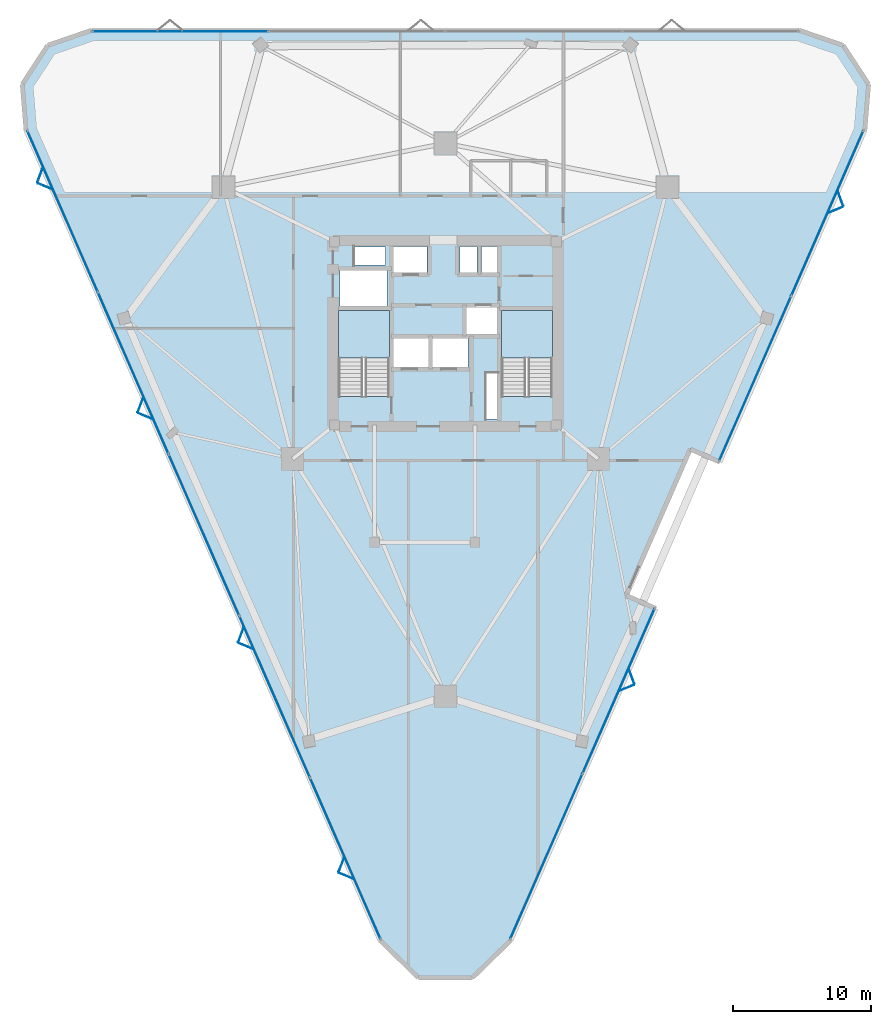
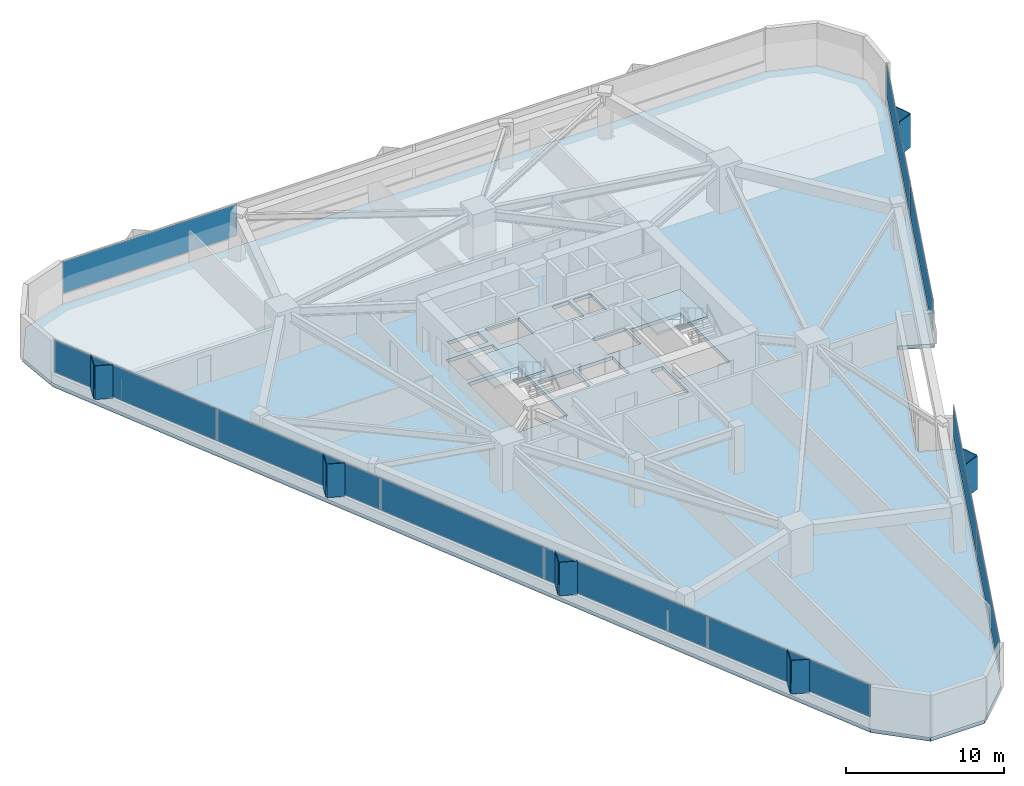
# One storey, part 9 of 15: 22 plates, 3 slabs, 6 elements without a shape of their own.
"""IFC4 building model written with IfcOpenShell, lengths in metres."""

from ifc_helpers import new_model, si_unit, direction, frame, origin, origin_2d, place, context, subcontext, project, spatial, polyline, rectangle, outline, extrude, material, layer, layer_set, type_object, element, aggregate, save


model = new_model("IFC4")

# Units and contexts
model_context = context("Model", 3, precision=1e-05, world=origin(), true_north=direction((0.0, 1.0)))
body_context = subcontext(model_context, "Body", "Model", "MODEL_VIEW")
ifc_project = project(units=[si_unit("LENGTHUNIT", "METRE"), si_unit("AREAUNIT", "SQUARE_METRE"), si_unit("VOLUMEUNIT", "CUBIC_METRE"), si_unit("PLANEANGLEUNIT", "RADIAN"), si_unit("MASSUNIT", "GRAM", prefix="KILO")], contexts=[model_context])

# Site, building, storey
site_placement = place(None, origin())
site = spatial("IfcSite", under=ifc_project, at=site_placement, CompositionType="ELEMENT")
building_placement = place(site_placement, origin())
building = spatial("IfcBuilding", under=site, at=building_placement, Name="Talyreon Biosciences Tower", CompositionType="ELEMENT")
storey_placement = place(building_placement, frame((0.0, 0.0, 100.550048828125)))
storey = spatial("IfcBuildingStorey", under=building, at=storey_placement, Name="L26", CompositionType="ELEMENT", Elevation=100.550048828125)

# Curtain wall, plate
ifc_material_1 = material(Name="Thermally broken aluminium and low-E glazing", Category="aluminium")
ifc_layer_1 = layer(ifc_material_1, 0.205078125)
ifc_layer_set_1 = layer_set([ifc_layer_1], Name="Thermally broken aluminium and low-E glazing")
curtain_wall_type = type_object("IfcCurtainWallType", Name="CurtainWall_SkyGardenLoggia", PredefinedType="NOTDEFINED", material=ifc_layer_set_1)
curtain_wall_1_placement = place(storey_placement, origin())
curtain_wall_1 = element("IfcCurtainWall", 1, at=curtain_wall_1_placement, inside=storey, type_object=curtain_wall_type, Name="L26 Unitised Curtain Wall FCW-L26-03", PredefinedType="NOTDEFINED")
ifc_material_2 = material(Name="Acoustic laminated low-E insulated glazing", Category="glass")
ifc_layer_2 = layer(ifc_material_2, 0.0380859375)
ifc_layer_set_2 = layer_set([ifc_layer_2], Name="Acoustic laminated low-E insulated glazing")
plate_type_1 = type_object("IfcPlateType", Name="CWGlazingPanel_38", PredefinedType="CURTAIN_PANEL", material=ifc_layer_set_2)
plate_1_placement = place(storey_placement, frame((46.7783203125, 89.906494140625, 0.875), z_axis=(0.0, 0.0, 1.0), x_axis=(1.0, 0.0, 0.0)))
plate_1 = element("IfcPlate", 2, at=plate_1_placement, type_object=plate_type_1, Name="CW7 panel 1.1", PredefinedType="CURTAIN_PANEL", context=body_context, shape_type="SweptSolid", body=[
    extrude(rectangle(XDim=12.71435546875, YDim=0.0380859375, at=origin_2d()), origin(), (0.0, 0.0, 1.0), 2.43505859375),
])
aggregate(curtain_wall_1, [plate_1])

# Curtain wall, plates
curtain_wall_2_placement = place(storey_placement, origin())
curtain_wall_2 = element("IfcCurtainWall", 3, at=curtain_wall_2_placement, inside=storey, type_object=curtain_wall_type, Name="L26 Unitised Curtain Wall FCW-L26-07", PredefinedType="NOTDEFINED")
plate_2_placement = place(storey_placement, frame((93.7119140625, 76.708984375, 0.875), z_axis=(0.0, 0.0, 1.0), x_axis=(-0.40038510043, -0.916346971051, 0.0)))
plate_2 = element("IfcPlate", 4, at=plate_2_placement, type_object=plate_type_1, Name="CW7 panel 1.1", PredefinedType="CURTAIN_PANEL", context=body_context, shape_type="SweptSolid", body=[
    extrude(rectangle(XDim=13.005615234375, YDim=0.0380859375, at=origin_2d()), origin(), (0.0, 0.0, 1.0), 2.43505859375),
])
plate_3_placement = place(storey_placement, frame((88.474609375, 64.72265625, 0.875), z_axis=(0.0, 0.0, 1.0), x_axis=(-0.40038510043, -0.916346971051, 0.0)))
plate_3 = element("IfcPlate", 5, at=plate_3_placement, type_object=plate_type_1, Name="CW7 panel 2.1", PredefinedType="CURTAIN_PANEL", context=body_context, shape_type="SweptSolid", body=[
    extrude(rectangle(XDim=13.005615234375, YDim=0.0380859375, at=origin_2d()), origin(), (0.0, 0.0, 1.0), 2.43505859375),
])
aggregate(curtain_wall_2, [plate_2, plate_3])

curtain_wall_3_placement = place(storey_placement, origin())
curtain_wall_3 = element("IfcCurtainWall", 6, at=curtain_wall_3_placement, inside=storey, type_object=curtain_wall_type, Name="L26 Unitised Curtain Wall FCW-L26-11", PredefinedType="NOTDEFINED")
plate_4_placement = place(storey_placement, frame((78.562744140625, 42.037841796875, 0.875), z_axis=(0.0, 0.0, 1.0), x_axis=(-0.400388300937, -0.916345572627, 0.0)))
plate_4 = element("IfcPlate", 7, at=plate_4_placement, type_object=plate_type_1, Name="CW7 panel 1.1", PredefinedType="CURTAIN_PANEL", context=body_context, shape_type="SweptSolid", body=[
    extrude(rectangle(XDim=13.005615234375, YDim=0.0380859375, at=origin_2d()), origin(), (0.0, 0.0, 1.0), 2.43505859375),
])
plate_5_placement = place(storey_placement, frame((73.325439453125, 30.051513671875, 0.875), z_axis=(0.0, 0.0, 1.0), x_axis=(-0.400388300937, -0.916345572627, 0.0)))
plate_5 = element("IfcPlate", 8, at=plate_5_placement, type_object=plate_type_1, Name="CW7 panel 2.1", PredefinedType="CURTAIN_PANEL", context=body_context, shape_type="SweptSolid", body=[
    extrude(rectangle(XDim=13.005615234375, YDim=0.0380859375, at=origin_2d()), origin(), (0.0, 0.0, 1.0), 2.43505859375),
])
aggregate(curtain_wall_3, [plate_4, plate_5])

curtain_wall_4_placement = place(storey_placement, origin())
curtain_wall_4 = element("IfcCurtainWall", 9, at=curtain_wall_4_placement, inside=storey, type_object=curtain_wall_type, Name="L26 Unitised Curtain Wall FCW-L26-15", PredefinedType="NOTDEFINED")
plate_6_placement = place(storey_placement, frame((58.7353515625, 29.912353515625, 0.875), z_axis=(0.0, 0.0, 1.0), x_axis=(-0.400386983653, 0.9163461482, 0.0)))
plate_6 = element("IfcPlate", 10, at=plate_6_placement, type_object=plate_type_1, Name="CW7 panel 1.1", PredefinedType="CURTAIN_PANEL", context=body_context, shape_type="SweptSolid", body=[
    extrude(rectangle(XDim=12.701904296875, YDim=0.0380859375, at=origin_2d()), origin(), (0.0, 0.0, 1.0), 2.43505859375),
])
plate_7_placement = place(storey_placement, frame((53.612060546875, 41.6376953125, 0.875), z_axis=(0.0, 0.0, 1.0), x_axis=(-0.400386983653, 0.9163461482, 0.0)))
plate_7 = element("IfcPlate", 11, at=plate_7_placement, type_object=plate_type_1, Name="CW7 panel 2.1", PredefinedType="CURTAIN_PANEL", context=body_context, shape_type="SweptSolid", body=[
    extrude(rectangle(XDim=12.739501953125, YDim=0.0380859375, at=origin_2d()), origin(), (0.0, 0.0, 1.0), 2.43505859375),
])
plate_8_placement = place(storey_placement, frame((48.4814453125, 53.38037109375, 0.875), z_axis=(0.0, 0.0, 1.0), x_axis=(-0.400386983653, 0.9163461482, 0.0)))
plate_8 = element("IfcPlate", 12, at=plate_8_placement, type_object=plate_type_1, Name="CW7 panel 3.1", PredefinedType="CURTAIN_PANEL", context=body_context, shape_type="SweptSolid", body=[
    extrude(rectangle(XDim=12.739501953125, YDim=0.0380859375, at=origin_2d()), origin(), (0.0, 0.0, 1.0), 2.43505859375),
])
plate_9_placement = place(storey_placement, frame((43.3505859375, 65.122802734375, 0.875), z_axis=(0.0, 0.0, 1.0), x_axis=(-0.400386983653, 0.9163461482, 0.0)))
plate_9 = element("IfcPlate", 13, at=plate_9_placement, type_object=plate_type_1, Name="CW7 panel 4.1", PredefinedType="CURTAIN_PANEL", context=body_context, shape_type="SweptSolid", body=[
    extrude(rectangle(XDim=12.739501953125, YDim=0.0380859375, at=origin_2d()), origin(), (0.0, 0.0, 1.0), 2.43505859375),
])
plate_10_placement = place(storey_placement, frame((38.227294921875, 76.84814453125, 0.875), z_axis=(0.0, 0.0, 1.0), x_axis=(-0.400386983653, 0.9163461482, 0.0)))
plate_10 = element("IfcPlate", 14, at=plate_10_placement, type_object=plate_type_1, Name="CW7 panel 5.1", PredefinedType="CURTAIN_PANEL", context=body_context, shape_type="SweptSolid", body=[
    extrude(rectangle(XDim=12.701904296875, YDim=0.0380859375, at=origin_2d()), origin(), (0.0, 0.0, 1.0), 2.43505859375),
])
aggregate(curtain_wall_4, [plate_6, plate_7, plate_8, plate_9, plate_10])

# Plates
ifc_material_3 = material(Name="Ivory GFRC sunshade panel", Category="concrete")
ifc_layer_3 = layer(ifc_material_3, 0.044921875)
ifc_layer_set_3 = layer_set([ifc_layer_3], Name="Ivory GFRC sunshade panel")
plate_type_2 = type_object("IfcPlateType", Name="FoldedVSunshade_SunFace_SUNSHADE", PredefinedType="USERDEFINED", material=ifc_layer_set_3)
for number, where, z_axis, x_axis, name in (
    (15, (94.65869140625, 77.777099609375, 0.7900390625), (0.0, 0.0, 1.0), (0.348539329796, -0.937294156381, 0.0), "L26 Folded V-Sunshade Panel 07.01L"),
    (16, (94.29833984375, 76.952392578125, 0.7900390625), (0.0, 0.0, 1.0), (-0.924559334915, -0.381038103373, 0.0), "L26 Folded V-Sunshade Panel 07.01R"),
    (17, (79.509521484375, 43.10595703125, 0.7900390625), (0.0, 0.0, 1.0), (0.348539329796, -0.937294156381, 0.0), "L26 Folded V-Sunshade Panel 11.01L"),
    (18, (79.149169921875, 42.28125, 0.7900390625), (0.0, 0.0, 1.0), (-0.924559334915, -0.381038103373, 0.0), "L26 Folded V-Sunshade Panel 11.01R"),
    (19, (58.815185546875, 28.631103515625, 0.7900390625), (0.0, 0.0, 1.0), (-0.924559334915, 0.381038103373, 0.0), "L26 Folded V-Sunshade Panel 15.01L"),
    (20, (58.45458984375, 29.455810546875, 0.7900390625), (0.0, 0.0, 1.0), (0.348539329796, 0.937294156381, 0.0), "L26 Folded V-Sunshade Panel 15.01R"),
    (21, (51.528076171875, 45.30859375, 0.7900390625), (0.0, 0.0, 1.0), (-0.924559334915, 0.381038103373, 0.0), "L26 Folded V-Sunshade Panel 15.02L"),
    (22, (51.167724609375, 46.13330078125, 0.7900390625), (0.0, 0.0, 1.0), (0.348539329796, 0.937294156381, 0.0), "L26 Folded V-Sunshade Panel 15.02R"),
    (23, (44.240966796875, 61.986083984375, 0.7900390625), (0.0, 0.0, 1.0), (-0.924559334915, 0.381038103373, 0.0), "L26 Folded V-Sunshade Panel 15.03L"),
    (24, (43.880615234375, 62.810791015625, 0.7900390625), (0.0, 0.0, 1.0), (0.348539329796, 0.937294156381, 0.0), "L26 Folded V-Sunshade Panel 15.03R"),
    (25, (36.9541015625, 78.663818359375, 0.7900390625), (0.0, 0.0, 1.0), (-0.924559334915, 0.381038103373, 0.0), "L26 Folded V-Sunshade Panel 15.04L"),
    (26, (36.593505859375, 79.48828125, 0.7900390625), (0.0, 0.0, 1.0), (0.348539329796, 0.937294156381, 0.0), "L26 Folded V-Sunshade Panel 15.04R"),
):
    element("IfcPlate", number, at=place(storey_placement, frame(where, z_axis=z_axis, x_axis=x_axis)), inside=storey, type_object=plate_type_2, Name=name, ObjectType="SUNSHADE", PredefinedType="USERDEFINED", context=body_context, shape_type="SweptSolid", body=[
        extrude(rectangle(XDim=1.14990234375, YDim=0.044921875, at=origin_2d()), origin(), (0.0, 0.0, 1.0), 2.5849609375),
    ])

# Stair, slab
ifc_material_4 = material(Name="Concrete C40/50", Category="concrete")
stair_type = type_object("IfcStairType", Name="DoglegEscapeStair_3650", PredefinedType="HALF_TURN_STAIR", material=ifc_material_4)
stair_1_placement = place(storey_placement, origin())
stair_1 = element("IfcStair", 27, at=stair_1_placement, inside=storey, type_object=stair_type, Name="L26 Core Escape Stair 1", PredefinedType="HALF_TURN_STAIR")
ifc_layer_4 = layer(ifc_material_4, 0.199951171875)
ifc_layer_set_4 = layer_set([ifc_layer_4], Name="Concrete C40/50")
slab_type_1 = type_object("IfcSlabType", Name="StairLandingSlab_200", PredefinedType="LANDING", material=ifc_layer_set_4)
slab_1_placement = place(storey_placement, frame((0.0, 0.0, 1.625)))
slab_1 = element("IfcSlab", 28, at=slab_1_placement, type_object=slab_type_1, Name="ST-1 landing 1", PredefinedType="LANDING", context=body_context, shape_type="SweptSolid", body=[
    extrude(outline(polyline([(61.929931640625, 66.199951171875), (61.929931640625, 69.64990234375), (58.25, 69.64990234375), (58.25, 66.199951171875), (61.929931640625, 66.199951171875)])), origin(), (0.0, 0.0, 1.0), 0.199951171875),
])
aggregate(stair_1, [slab_1])

stair_2_placement = place(storey_placement, origin())
stair_2 = element("IfcStair", 29, at=stair_2_placement, inside=storey, type_object=stair_type, Name="L26 Core Escape Stair 2", PredefinedType="HALF_TURN_STAIR")
slab_2_placement = place(storey_placement, frame((0.0, 0.0, 1.625)))
slab_2 = element("IfcSlab", 30, at=slab_2_placement, type_object=slab_type_1, Name="ST-2 landing 1", PredefinedType="LANDING", context=body_context, shape_type="SweptSolid", body=[
    extrude(outline(polyline([(73.75, 66.199951171875), (73.75, 69.64990234375), (70.070068359375, 69.64990234375), (70.070068359375, 66.199951171875), (73.75, 66.199951171875)])), origin(), (0.0, 0.0, 1.0), 0.199951171875),
])
aggregate(stair_2, [slab_2])

# Slab
ifc_layer_5 = layer(ifc_material_4, 0.27490234375)
ifc_layer_set_5 = layer_set([ifc_layer_5], Name="Concrete C40/50")
slab_type_2 = type_object("IfcSlabType", Name="WetLabFloorSlab_275", PredefinedType="FLOOR", material=ifc_layer_set_5)
slab_3_placement = place(storey_placement, frame((0.0, 0.0, -0.275146484375)))
element("IfcSlab", 31, at=slab_3_placement, inside=storey, type_object=slab_type_2, Name="L26 Structural Floor Slab", PredefinedType="FLOOR", context=body_context, shape_type="SweptSolid", body=[
    extrude(outline(polyline([(35.581298828125, 82.70458984375), (35.306396484375, 86.068115234375), (37.154296875, 88.8916015625), (40.34619140625, 89.986572265625), (91.65380859375, 89.986572265625), (94.845703125, 88.8916015625), (96.693603515625, 86.068115234375), (96.418701171875, 82.70458984375), (85.914306640625, 58.6630859375), (83.7607421875, 59.60400390625), (79.1162109375, 48.974365234375), (81.269775390625, 48.033447265625), (70.764892578125, 23.991943359375), (67.958984375, 21.257080078125), (64.041015625, 21.257080078125), (61.235107421875, 23.991943359375), (35.581298828125, 82.70458984375)]), holes=[polyline([(61.929931640625, 69.64990234375), (61.929931640625, 63.407958984375), (58.25, 63.407958984375), (58.25, 69.64990234375), (61.929931640625, 69.64990234375)]), polyline([(64.800048828125, 67.64990234375), (64.800048828125, 65.550048828125), (62.199951171875, 65.550048828125), (62.199951171875, 67.64990234375), (64.800048828125, 67.64990234375)]), polyline([(67.64990234375, 67.64990234375), (67.64990234375, 65.550048828125), (65.050048828125, 65.550048828125), (65.050048828125, 67.64990234375), (67.64990234375, 67.64990234375)]), polyline([(61.75, 69.97998046875), (58.35009765625, 69.97998046875), (58.35009765625, 72.550048828125), (61.75, 72.550048828125), (61.75, 69.97998046875)]), polyline([(64.64990234375, 72.35009765625), (62.199951171875, 72.35009765625), (62.199951171875, 74.300048828125), (64.64990234375, 74.300048828125), (64.64990234375, 72.35009765625)]), polyline([(61.64990234375, 74.25), (61.64990234375, 72.9599609375), (59.39990234375, 72.9599609375), (59.39990234375, 74.25), (61.64990234375, 74.25)]), polyline([(69.820068359375, 61.800048828125), (68.9599609375, 61.800048828125), (68.9599609375, 65.10009765625), (69.820068359375, 65.10009765625), (69.820068359375, 61.800048828125)]), polyline([(73.75, 63.407958984375), (70.070068359375, 63.407958984375), (70.070068359375, 69.64990234375), (73.75, 69.64990234375), (73.75, 63.407958984375)]), polyline([(69.89990234375, 69.949951171875), (69.89990234375, 67.949951171875), (67.5, 67.949951171875), (67.5, 69.949951171875), (69.89990234375, 69.949951171875)]), polyline([(68.300048828125, 72.35009765625), (67.050048828125, 72.35009765625), (67.050048828125, 74.300048828125), (68.300048828125, 74.300048828125), (68.300048828125, 72.35009765625)]), polyline([(69.919921875, 72.35009765625), (68.6201171875, 72.35009765625), (68.6201171875, 74.300048828125), (69.919921875, 74.300048828125), (69.919921875, 72.35009765625)])]), origin(), (0.0, 0.0, 1.0), 0.275146484375),
])

save(model, "model.ifc")
